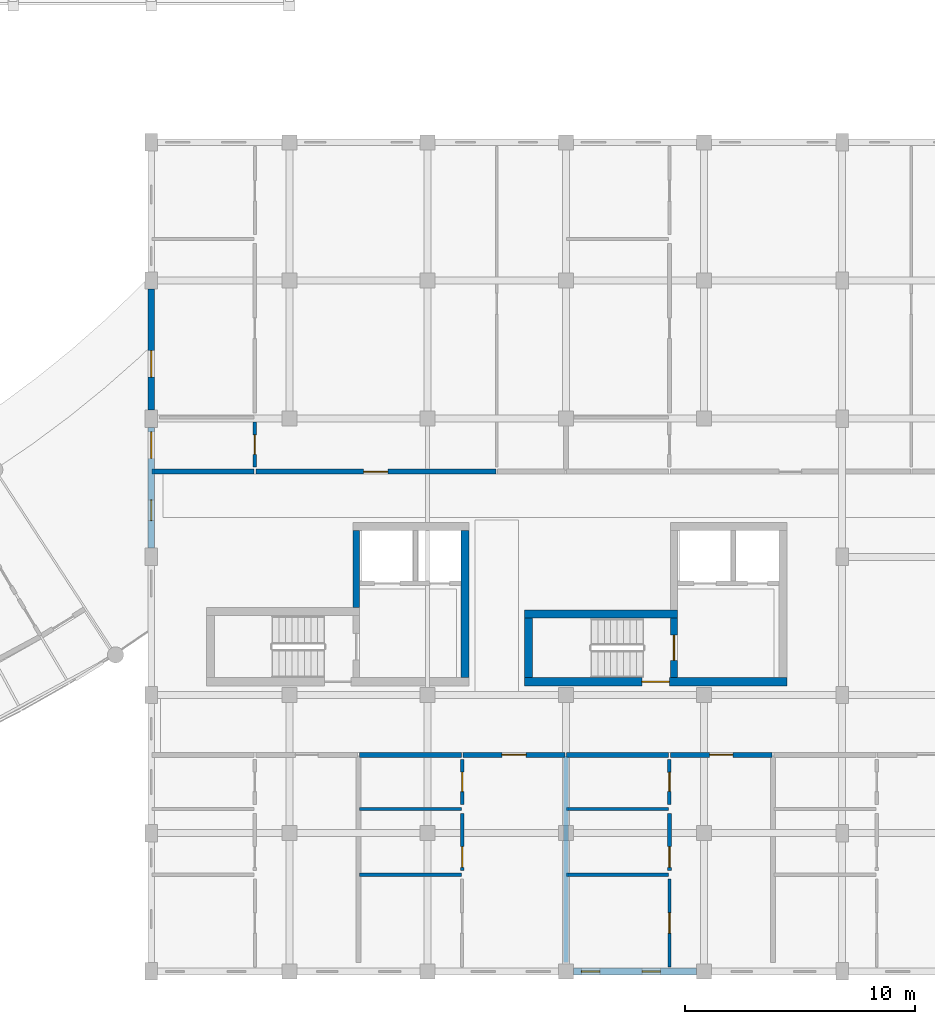
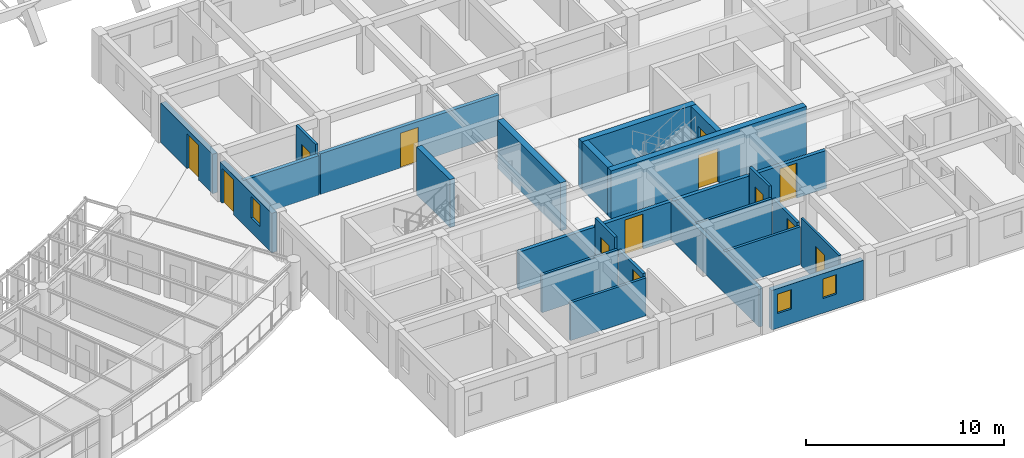
# One storey, part 84 of 123: 26 walls, 13 doors, 3 windows, 16 openings.
"""IFC4 building model written with IfcOpenShell, lengths in metres."""

from ifc_helpers import new_model, si_unit, direction, frame, frame_2d, origin, place, context, subcontext, project, spatial, rectangle, extrude, material, layer, layer_set, type_object, element, fill, save


model = new_model("IFC4")

# Units and contexts
model_context = context("Model", 3, precision=1e-05, world=origin(), true_north=direction((0.0, 1.0)))
body_context = subcontext(model_context, "Body", "Model", "MODEL_VIEW")
ifc_project = project(units=[si_unit("LENGTHUNIT", "METRE"), si_unit("AREAUNIT", "SQUARE_METRE"), si_unit("VOLUMEUNIT", "CUBIC_METRE"), si_unit("PLANEANGLEUNIT", "RADIAN"), si_unit("MASSUNIT", "GRAM", prefix="KILO"), si_unit("POWERUNIT", "WATT"), si_unit("THERMODYNAMICTEMPERATUREUNIT", "KELVIN")], contexts=[model_context])

# Site, building, storey
site_placement = place(None, origin())
site = spatial("IfcSite", under=ifc_project, at=site_placement, CompositionType="ELEMENT")
building_placement = place(site_placement, origin())
building = spatial("IfcBuilding", under=site, at=building_placement, Name="Ruvembo Vaulted Housing Court", CompositionType="ELEMENT")
storey_placement = place(building_placement, frame((0.0, 0.0, 7.699951171875)))
storey = spatial("IfcBuildingStorey", under=building, at=storey_placement, Name="L02", CompositionType="ELEMENT", Elevation=7.699951171875)

# Wall
ifc_material_1 = material(Name="Concrete C35/45", Category="concrete")
ifc_layer_1 = layer(ifc_material_1, 0.300048828125, Name="Concrete C35/45")
ifc_layer_set_1 = layer_set([ifc_layer_1], Name="Concrete C35/45")
wall_type_1 = type_object("IfcWallType", Name="WL-CORE-300", PredefinedType="SHEAR", material=ifc_layer_set_1)
wall_1_placement = place(storey_placement, frame((110.89990234375, 15.800048828125, 0.0), z_axis=(0.0, 0.0, 1.0), x_axis=(0.0, 1.0, 0.0)))
element("IfcWall", 1, at=wall_1_placement, inside=storey, type_object=wall_type_1, Name="Core C1 L02 Upper West Shear Wall", PredefinedType="SHEAR", context=body_context, shape_type="SweptSolid", body=[
    extrude(rectangle(XDim=3.349853515625, YDim=0.300048828125, at=frame_2d((1.6748046875, 0.0))), origin(), (0.0, 0.0, 1.0), 2.955078125),
])

# Wall, opening, door
wall_2_placement = place(storey_placement, frame((124.699951171875, 12.75, 0.0), z_axis=(0.0, 0.0, 1.0), x_axis=(0.0, 1.0, 0.0)))
wall_2 = element("IfcWall", 2, at=wall_2_placement, inside=storey, type_object=wall_type_1, Name="Core C2 L02 Stair-Lobby Shear Wall", PredefinedType="SHEAR", context=body_context, shape_type="SweptSolid", body=[
    extrude(rectangle(XDim=2.60009765625, YDim=0.300048828125, at=frame_2d((1.300048828125, 0.0))), origin(), (0.0, 0.0, 1.0), 2.955078125),
])
opening_1_placement = place(wall_2_placement, frame((0.75, 0.0, 0.0)))
opening_1 = element("IfcOpeningElement", 3, at=opening_1_placement, cuts=wall_2, Name="Opening SD2", PredefinedType="OPENING", context=body_context, shape_type="SweptSolid", body=[
    extrude(rectangle(XDim=1.10009765625, YDim=2.14990234375, at=frame_2d((0.550048828125, 1.074951171875))), frame((0.0, 0.159912109375, 0.0), z_axis=(0.0, -1.0, 0.0), x_axis=(1.0, 0.0, 0.0)), (0.0, 0.0, 1.0), 0.320068359375),
])
ifc_material_2 = material(Name="Galvanised Painted Steel", Category="steel")
door_type_1 = type_object("IfcDoorType", Name="DR-STAIR-1100x2150", OperationType="NOTDEFINED", PredefinedType="DOOR", material=ifc_material_2)
door_1_placement = place(opening_1_placement, origin())
door_1 = element("IfcDoor", 4, at=door_1_placement, inside=storey, type_object=door_type_1, Name="Stair ST-C2 L02 Fire Door", OperationType="SINGLE_SWING_RIGHT", OverallHeight=2.14990234375, OverallWidth=1.10009765625, PredefinedType="DOOR", context=body_context, shape_type="SweptSolid", body=[
    extrude(rectangle(XDim=1.10009765625, YDim=2.14990234375, at=frame_2d((0.550048828125, 1.074951171875))), frame((0.0, 0.02490234375, 0.0), z_axis=(0.0, -1.0, 0.0), x_axis=(1.0, 0.0, 0.0)), (0.0, 0.0, 1.0), 0.050048828125),
])
fill(opening_1, door_1)

# Wall
ifc_layer_2 = layer(ifc_material_1, 0.35009765625, Name="Concrete C35/45")
ifc_layer_set_2 = layer_set([ifc_layer_2], Name="Concrete C35/45")
wall_type_2 = type_object("IfcWallType", Name="WL-CORE-350", PredefinedType="SHEAR", material=ifc_layer_set_2)
wall_3_placement = place(storey_placement, frame((115.625, 12.75, 0.0), z_axis=(0.0, 0.0, 1.0), x_axis=(0.0, 1.0, 0.0)))
element("IfcWall", 5, at=wall_3_placement, inside=storey, type_object=wall_type_2, Name="Core C1 L02 East Shear Wall", PredefinedType="SHEAR", context=body_context, shape_type="SweptSolid", body=[
    extrude(rectangle(XDim=6.39990234375, YDim=0.35009765625, at=frame_2d((3.199951171875, 0.0))), origin(), (0.0, 0.0, 1.0), 2.955078125),
])

# Wall, opening, door
wall_4_placement = place(storey_placement, frame((118.199951171875, 12.574951171875, 0.0), z_axis=(0.0, 0.0, 1.0), x_axis=(1.0, 0.0, 0.0)))
wall_4 = element("IfcWall", 6, at=wall_4_placement, inside=storey, type_object=wall_type_2, Name="Core C2 L02 South Shear Wall", PredefinedType="SHEAR", context=body_context, shape_type="SweptSolid", body=[
    extrude(rectangle(XDim=11.400146484375, YDim=0.35009765625, at=frame_2d((5.7001953125, 0.0))), origin(), (0.0, 0.0, 1.0), 2.955078125),
])
opening_2_placement = place(wall_4_placement, frame((5.10009765625, 0.0, 0.0)))
opening_2 = element("IfcOpeningElement", 7, at=opening_2_placement, cuts=wall_4, Name="Opening LD3", PredefinedType="OPENING", context=body_context, shape_type="SweptSolid", body=[
    extrude(rectangle(XDim=1.199951171875, YDim=2.14990234375, at=frame_2d((0.60009765625, 1.074951171875))), frame((0.0, 0.18505859375, 0.0), z_axis=(0.0, -1.0, 0.0), x_axis=(1.0, 0.0, 0.0)), (0.0, 0.0, 1.0), 0.3701171875),
])
door_type_2 = type_object("IfcDoorType", Name="DR-LOB-1200x2150", OperationType="NOTDEFINED", PredefinedType="DOOR", material=ifc_material_2)
door_2_placement = place(opening_2_placement, origin())
door_2 = element("IfcDoor", 8, at=door_2_placement, inside=storey, type_object=door_type_2, Name="Core C2 L02 Lobby Fire Door", OperationType="SINGLE_SWING_LEFT", OverallHeight=2.14990234375, OverallWidth=1.199951171875, PredefinedType="DOOR", context=body_context, shape_type="SweptSolid", body=[
    extrude(rectangle(XDim=1.199951171875, YDim=2.14990234375, at=frame_2d((0.60009765625, 1.074951171875))), frame((0.0, 0.02490234375, 0.0), z_axis=(0.0, -1.0, 0.0), x_axis=(1.0, 0.0, 0.0)), (0.0, 0.0, 1.0), 0.050048828125),
])
fill(opening_2, door_2)

# Walls
wall_5_placement = place(storey_placement, frame((124.85009765625, 15.52490234375, 0.0), z_axis=(0.0, 0.0, 1.0), x_axis=(-1.0, 0.0, 0.0)))
element("IfcWall", 9, at=wall_5_placement, inside=storey, type_object=wall_type_2, Name="Core C2 L02 Stair North Shear Wall", PredefinedType="SHEAR", context=body_context, shape_type="SweptSolid", body=[
    extrude(rectangle(XDim=6.650146484375, YDim=0.35009765625, at=frame_2d((3.3251953125, 0.0))), origin(), (0.0, 0.0, 1.0), 2.955078125),
])
wall_6_placement = place(storey_placement, frame((118.375, 15.35009765625, 0.0), z_axis=(0.0, 0.0, 1.0), x_axis=(0.0, -1.0, 0.0)))
element("IfcWall", 10, at=wall_6_placement, inside=storey, type_object=wall_type_2, Name="Core C2 L02 Stair West Shear Wall", PredefinedType="SHEAR", context=body_context, shape_type="SweptSolid", body=[
    extrude(rectangle(XDim=2.60009765625, YDim=0.35009765625, at=frame_2d((1.300048828125, 0.0))), origin(), (0.0, 0.0, 1.0), 2.955078125),
])
ifc_material_3 = material(Name="Concrete Blockwork 210", Category="masonry")
ifc_layer_3 = layer(ifc_material_3, 0.2099609375, Name="Concrete Blockwork 210")
ifc_layer_set_3 = layer_set([ifc_layer_3], Name="Concrete Blockwork 210")
wall_type_3 = type_object("IfcWallType", Name="WL-CORR-210", PredefinedType="SOLIDWALL", material=ifc_layer_set_3)
wall_7_placement = place(storey_placement, frame((111.0400390625, 9.39990234375, 0.0), z_axis=(0.0, 0.0, 1.0), x_axis=(1.0, 0.0, 0.0)))
element("IfcWall", 11, at=wall_7_placement, inside=storey, type_object=wall_type_3, Name="L02 Flat C-L02-S2 Corridor Wall WL-INT-L02-00591", PredefinedType="SOLIDWALL", context=body_context, shape_type="SweptSolid", body=[
    extrude(rectangle(XDim=4.419921875, YDim=0.2099609375, at=frame_2d((2.2099609375, 0.0))), origin(), (0.0, 0.0, 1.0), 2.337158203125),
])

# Wall, opening, door
wall_8_placement = place(storey_placement, frame((115.5400390625, 9.39990234375, 0.0), z_axis=(0.0, 0.0, 1.0), x_axis=(1.0, 0.0, 0.0)))
wall_8 = element("IfcWall", 12, at=wall_8_placement, inside=storey, type_object=wall_type_3, Name="L02 Flat C-L02-S2 Entrance WL-INT-L02-00592", PredefinedType="SOLIDWALL", context=body_context, shape_type="SweptSolid", body=[
    extrude(rectangle(XDim=4.419921875, YDim=0.2099609375, at=frame_2d((2.2099609375, 0.0))), origin(), (0.0, 0.0, 1.0), 2.337158203125),
])
opening_3_placement = place(wall_8_placement, frame((1.68505859375, 0.0, 0.0)))
opening_3 = element("IfcOpeningElement", 13, at=opening_3_placement, cuts=wall_8, Name="Opening FD3", PredefinedType="OPENING", context=body_context, shape_type="SweptSolid", body=[
    extrude(rectangle(XDim=1.050048828125, YDim=2.14990234375, at=frame_2d((0.52490234375, 1.074951171875))), frame((0.0, 0.114990234375, 0.0), z_axis=(0.0, -1.0, 0.0), x_axis=(1.0, 0.0, 0.0)), (0.0, 0.0, 1.0), 0.22998046875),
])
ifc_material_4 = material(Name="FSC Hardwood and Engineered Timber", Category="wood")
door_type_3 = type_object("IfcDoorType", Name="DR-FLAT-1050x2150", OperationType="NOTDEFINED", PredefinedType="DOOR", material=ifc_material_4)
door_3_placement = place(opening_3_placement, origin())
door_3 = element("IfcDoor", 14, at=door_3_placement, inside=storey, type_object=door_type_3, Name="L02 Flat C-L02-S2 Entrance Door DR-INT-L02-00320", OperationType="SINGLE_SWING_RIGHT", OverallHeight=2.14990234375, OverallWidth=1.050048828125, PredefinedType="DOOR", context=body_context, shape_type="SweptSolid", body=[
    extrude(rectangle(XDim=1.050048828125, YDim=2.14990234375, at=frame_2d((0.52490234375, 1.074951171875))), frame((0.0, 0.02490234375, 0.0), z_axis=(0.0, -1.0, 0.0), x_axis=(1.0, 0.0, 0.0)), (0.0, 0.0, 1.0), 0.050048828125),
])
fill(opening_3, door_3)

# Wall
wall_9_placement = place(storey_placement, frame((120.0400390625, 9.39990234375, 0.0), z_axis=(0.0, 0.0, 1.0), x_axis=(1.0, 0.0, 0.0)))
element("IfcWall", 15, at=wall_9_placement, inside=storey, type_object=wall_type_3, Name="L02 Flat C-L02-S3 Corridor Wall WL-INT-L02-00599", PredefinedType="SOLIDWALL", context=body_context, shape_type="SweptSolid", body=[
    extrude(rectangle(XDim=4.419921875, YDim=0.2099609375, at=frame_2d((2.2099609375, 0.0))), origin(), (0.0, 0.0, 1.0), 2.337158203125),
])

# Wall, opening, door
wall_10_placement = place(storey_placement, frame((124.5400390625, 9.39990234375, 0.0), z_axis=(0.0, 0.0, 1.0), x_axis=(1.0, 0.0, 0.0)))
wall_10 = element("IfcWall", 16, at=wall_10_placement, inside=storey, type_object=wall_type_3, Name="L02 Flat C-L02-S3 Entrance WL-INT-L02-00600", PredefinedType="SOLIDWALL", context=body_context, shape_type="SweptSolid", body=[
    extrude(rectangle(XDim=4.419921875, YDim=0.2099609375, at=frame_2d((2.2099609375, 0.0))), origin(), (0.0, 0.0, 1.0), 2.337158203125),
])
opening_4_placement = place(wall_10_placement, frame((1.7099609375, 0.0, 0.0)))
opening_4 = element("IfcOpeningElement", 17, at=opening_4_placement, cuts=wall_10, Name="Opening FD1", PredefinedType="OPENING", context=body_context, shape_type="SweptSolid", body=[
    extrude(rectangle(XDim=1.0, YDim=2.14990234375, at=frame_2d((0.5, 1.074951171875))), frame((0.0, 0.114990234375, 0.0), z_axis=(0.0, -1.0, 0.0), x_axis=(1.0, 0.0, 0.0)), (0.0, 0.0, 1.0), 0.22998046875),
])
door_type_4 = type_object("IfcDoorType", Name="DR-FLAT-1000x2150", OperationType="NOTDEFINED", PredefinedType="DOOR", material=ifc_material_4)
door_4_placement = place(opening_4_placement, origin())
door_4 = element("IfcDoor", 18, at=door_4_placement, inside=storey, type_object=door_type_4, Name="L02 Flat C-L02-S3 Entrance Door DR-INT-L02-00324", OperationType="SINGLE_SWING_RIGHT", OverallHeight=2.14990234375, OverallWidth=1.0, PredefinedType="DOOR", context=body_context, shape_type="SweptSolid", body=[
    extrude(rectangle(XDim=1.0, YDim=2.14990234375, at=frame_2d((0.5, 1.074951171875))), frame((0.0, 0.02490234375, 0.0), z_axis=(0.0, -1.0, 0.0), x_axis=(1.0, 0.0, 0.0)), (0.0, 0.0, 1.0), 0.050048828125),
])
fill(opening_4, door_4)

# Wall
wall_11_placement = place(storey_placement, frame((102.0400390625, 21.699951171875, 0.0), z_axis=(0.0, 0.0, 1.0), x_axis=(1.0, 0.0, 0.0)))
element("IfcWall", 19, at=wall_11_placement, inside=storey, type_object=wall_type_3, Name="L02 Flat C-L02-N1 Corridor Wall WL-INT-L02-00614", PredefinedType="SOLIDWALL", context=body_context, shape_type="SweptSolid", body=[
    extrude(rectangle(XDim=4.419921875, YDim=0.2099609375, at=frame_2d((2.2099609375, 0.0))), origin(), (0.0, 0.0, 1.0), 2.43701171875),
])

# Wall, opening, door
wall_12_placement = place(storey_placement, frame((106.5400390625, 21.699951171875, 0.0), z_axis=(0.0, 0.0, 1.0), x_axis=(1.0, 0.0, 0.0)))
wall_12 = element("IfcWall", 20, at=wall_12_placement, inside=storey, type_object=wall_type_3, Name="L02 Flat C-L02-N1 Entrance WL-INT-L02-00615", PredefinedType="SOLIDWALL", context=body_context, shape_type="SweptSolid", body=[
    extrude(rectangle(XDim=10.419921875, YDim=0.2099609375, at=frame_2d((5.2099609375, 0.0))), origin(), (0.0, 0.0, 1.0), 2.508056640625),
])
opening_5_placement = place(wall_12_placement, frame((4.68505859375, 0.0, 0.0)))
opening_5 = element("IfcOpeningElement", 21, at=opening_5_placement, cuts=wall_12, Name="Opening FD3", PredefinedType="OPENING", context=body_context, shape_type="SweptSolid", body=[
    extrude(rectangle(XDim=1.050048828125, YDim=2.14990234375, at=frame_2d((0.52490234375, 1.074951171875))), frame((0.0, 0.114990234375, 0.0), z_axis=(0.0, -1.0, 0.0), x_axis=(1.0, 0.0, 0.0)), (0.0, 0.0, 1.0), 0.22998046875),
])
door_5_placement = place(opening_5_placement, origin())
door_5 = element("IfcDoor", 22, at=door_5_placement, inside=storey, type_object=door_type_3, Name="L02 Flat C-L02-N1 Entrance Door DR-INT-L02-00332", OperationType="SINGLE_SWING_RIGHT", OverallHeight=2.14990234375, OverallWidth=1.050048828125, PredefinedType="DOOR", context=body_context, shape_type="SweptSolid", body=[
    extrude(rectangle(XDim=1.050048828125, YDim=2.14990234375, at=frame_2d((0.52490234375, 1.074951171875))), frame((0.0, 0.02490234375, 0.0), z_axis=(0.0, -1.0, 0.0), x_axis=(1.0, 0.0, 0.0)), (0.0, 0.0, 1.0), 0.050048828125),
])
fill(opening_5, door_5)

# Wall
ifc_material_5 = material(Name="Acoustic Masonry Demising 220", Category="masonry")
ifc_layer_4 = layer(ifc_material_5, 0.219970703125, Name="Acoustic Masonry Demising 220")
ifc_layer_set_4 = layer_set([ifc_layer_4], Name="Acoustic Masonry Demising 220")
wall_type_4 = type_object("IfcWallType", Name="WL-DEM-200", PredefinedType="SOLIDWALL", material=ifc_layer_set_4)
wall_13_placement = place(storey_placement, frame((120.0, 0.389892578125, 0.0), z_axis=(0.0, 0.0, 1.0), x_axis=(0.0, 1.0, 0.0)))
element("IfcWall", 23, at=wall_13_placement, inside=storey, type_object=wall_type_4, Name="L02 Demising C-L02-S2 WL-INT-L02-00590", PredefinedType="SOLIDWALL", context=body_context, shape_type="SweptSolid", body=[
    extrude(rectangle(XDim=8.97021484375, YDim=0.219970703125, at=frame_2d((4.485107421875, 0.0))), origin(), (0.0, 0.0, 1.0), 2.337158203125),
])

# Wall, openings, windows
ifc_material_6 = material(Name="Rendered Masonry 300", Category="masonry")
ifc_layer_5 = layer(ifc_material_6, 0.300048828125, Name="Rendered Masonry 300")
ifc_layer_set_5 = layer_set([ifc_layer_5], Name="Rendered Masonry 300")
wall_type_5 = type_object("IfcWallType", Name="WL-EXT-300", PredefinedType="STANDARD", material=ifc_layer_set_5)
wall_14_placement = place(storey_placement, frame((120.324951171875, 0.0, 0.0), z_axis=(0.0, 0.0, 1.0), x_axis=(1.0, 0.0, 0.0)))
wall_14 = element("IfcWall", 24, at=wall_14_placement, inside=storey, type_object=wall_type_5, Name="Block C L02 Exterior Wall STREET #4", PredefinedType="STANDARD", context=body_context, shape_type="SweptSolid", body=[
    extrude(rectangle(XDim=5.35009765625, YDim=0.300048828125, at=frame_2d((2.675048828125, 0.0))), origin(), (0.0, 0.0, 1.0), 2.43701171875),
])
opening_6_placement = place(wall_14_placement, frame((0.35009765625, 0.0, 0.89990234375)))
opening_6 = element("IfcOpeningElement", 25, at=opening_6_placement, cuts=wall_14, Name="Opening W02", PredefinedType="OPENING", context=body_context, shape_type="SweptSolid", body=[
    extrude(rectangle(XDim=0.800048828125, YDim=1.199951171875, at=frame_2d((0.39990234375, 0.60009765625))), frame((0.0, 0.159912109375, 0.0), z_axis=(0.0, -1.0, 0.0), x_axis=(1.0, 0.0, 0.0)), (0.0, 0.0, 1.0), 0.320068359375),
])
opening_7_placement = place(wall_14_placement, frame((2.985107421875, 0.0, 0.89990234375)))
opening_7 = element("IfcOpeningElement", 26, at=opening_7_placement, cuts=wall_14, Name="Opening W02", PredefinedType="OPENING", context=body_context, shape_type="SweptSolid", body=[
    extrude(rectangle(XDim=0.800048828125, YDim=1.199951171875, at=frame_2d((0.39990234375, 0.60009765625))), frame((0.0, 0.159912109375, 0.0), z_axis=(0.0, -1.0, 0.0), x_axis=(1.0, 0.0, 0.0)), (0.0, 0.0, 1.0), 0.320068359375),
])
ifc_material_7 = material(Name="Double Solar-Control Glazing in Aluminium Frame", Category="aluminium")
window_type_1 = type_object("IfcWindowType", Name="WIN-0800x1200", PartitioningType="SINGLE_PANEL", PredefinedType="WINDOW", material=ifc_material_7)
window_1_placement = place(opening_6_placement, origin())
window_1 = element("IfcWindow", 27, at=window_1_placement, inside=storey, type_object=window_type_1, Name="Block C L02 Window #1158", OverallHeight=1.199951171875, OverallWidth=0.800048828125, PartitioningType="SINGLE_PANEL", PredefinedType="WINDOW", context=body_context, shape_type="SweptSolid", body=[
    extrude(rectangle(XDim=0.800048828125, YDim=1.199951171875, at=frame_2d((0.39990234375, 0.60009765625))), frame((0.0, 0.030029296875, 0.0), z_axis=(0.0, -1.0, 0.0), x_axis=(1.0, 0.0, 0.0)), (0.0, 0.0, 1.0), 0.06005859375),
])
fill(opening_6, window_1)
window_2_placement = place(opening_7_placement, origin())
window_2 = element("IfcWindow", 28, at=window_2_placement, inside=storey, type_object=window_type_1, Name="Block C L02 Window #1159", OverallHeight=1.199951171875, OverallWidth=0.800048828125, PartitioningType="SINGLE_PANEL", PredefinedType="WINDOW", context=body_context, shape_type="SweptSolid", body=[
    extrude(rectangle(XDim=0.800048828125, YDim=1.199951171875, at=frame_2d((0.39990234375, 0.60009765625))), frame((0.0, 0.030029296875, 0.0), z_axis=(0.0, -1.0, 0.0), x_axis=(1.0, 0.0, 0.0)), (0.0, 0.0, 1.0), 0.06005859375),
])
fill(opening_7, window_2)

# Wall, opening, door
wall_15_placement = place(storey_placement, frame((102.0, 29.625, 0.0), z_axis=(0.0, 0.0, 1.0), x_axis=(0.0, -1.0, 0.0)))
wall_15 = element("IfcWall", 29, at=wall_15_placement, inside=storey, type_object=wall_type_5, Name="Block C L02 Exterior Wall WEST #2", PredefinedType="STANDARD", context=body_context, shape_type="SweptSolid", body=[
    extrude(rectangle(XDim=5.25, YDim=0.300048828125, at=frame_2d((2.625, 0.0))), origin(), (0.0, 0.0, 1.0), 2.43701171875),
])
opening_8_placement = place(wall_15_placement, frame((2.666748046875, 0.0, 0.0)))
opening_8 = element("IfcOpeningElement", 30, at=opening_8_placement, cuts=wall_15, Name="Opening GD1", PredefinedType="OPENING", context=body_context, shape_type="SweptSolid", body=[
    extrude(rectangle(XDim=1.14990234375, YDim=2.14990234375, at=frame_2d((0.574951171875, 1.074951171875))), frame((0.0, 0.159912109375, 0.0), z_axis=(0.0, -1.0, 0.0), x_axis=(1.0, 0.0, 0.0)), (0.0, 0.0, 1.0), 0.320068359375),
])
ifc_material_8 = material(Name="Thermally Broken Glazed Aluminium", Category="aluminium")
door_type_5 = type_object("IfcDoorType", Name="DR-GAL-1150x2150", OperationType="NOTDEFINED", PredefinedType="DOOR", material=ifc_material_8)
door_6_placement = place(opening_8_placement, frame((1.14990234375, 0.0, 0.0), z_axis=(0.0, 0.0, 1.0), x_axis=(-1.0, 0.0, 0.0)))
door_6 = element("IfcDoor", 31, at=door_6_placement, inside=storey, type_object=door_type_5, Name="Block C L02 Terrace or Gallery Door DR-TER-C-L02-053", OperationType="SINGLE_SWING_RIGHT", OverallHeight=2.14990234375, OverallWidth=1.14990234375, PredefinedType="DOOR", context=body_context, shape_type="SweptSolid", body=[
    extrude(rectangle(XDim=1.14990234375, YDim=2.14990234375, at=frame_2d((0.574951171875, 1.074951171875))), frame((0.0, 0.02490234375, 0.0), z_axis=(0.0, -1.0, 0.0), x_axis=(1.0, 0.0, 0.0)), (0.0, 0.0, 1.0), 0.050048828125),
])
fill(opening_8, door_6)

# Wall, openings, door, window
wall_16_placement = place(storey_placement, frame((102.0, 23.625, 0.0), z_axis=(0.0, 0.0, 1.0), x_axis=(0.0, -1.0, 0.0)))
wall_16 = element("IfcWall", 32, at=wall_16_placement, inside=storey, type_object=wall_type_5, Name="Block C L02 Exterior Wall WEST #3", PredefinedType="STANDARD", context=body_context, shape_type="SweptSolid", body=[
    extrude(rectangle(XDim=5.25, YDim=0.300048828125, at=frame_2d((2.625, 0.0))), origin(), (0.0, 0.0, 1.0), 2.43701171875),
])
opening_9_placement = place(wall_16_placement, frame((0.199951171875, 0.0, 0.0)))
opening_9 = element("IfcOpeningElement", 33, at=opening_9_placement, cuts=wall_16, Name="Opening GD1", PredefinedType="OPENING", context=body_context, shape_type="SweptSolid", body=[
    extrude(rectangle(XDim=1.14990234375, YDim=2.14990234375, at=frame_2d((0.574951171875, 1.074951171875))), frame((0.0, 0.159912109375, 0.0), z_axis=(0.0, -1.0, 0.0), x_axis=(1.0, 0.0, 0.0)), (0.0, 0.0, 1.0), 0.320068359375),
])
opening_10_placement = place(wall_16_placement, frame((3.157470703125, 0.0, 0.89990234375)))
opening_10 = element("IfcOpeningElement", 34, at=opening_10_placement, cuts=wall_16, Name="Opening W04", PredefinedType="OPENING", context=body_context, shape_type="SweptSolid", body=[
    extrude(rectangle(XDim=0.89990234375, YDim=1.300048828125, at=frame_2d((0.449951171875, 0.64990234375))), frame((0.0, 0.159912109375, 0.0), z_axis=(0.0, -1.0, 0.0), x_axis=(1.0, 0.0, 0.0)), (0.0, 0.0, 1.0), 0.320068359375),
])
door_7_placement = place(opening_9_placement, frame((1.14990234375, 0.0, 0.0), z_axis=(0.0, 0.0, 1.0), x_axis=(-1.0, 0.0, 0.0)))
door_7 = element("IfcDoor", 35, at=door_7_placement, inside=storey, type_object=door_type_5, Name="Block C L02 Terrace or Gallery Door DR-TER-C-L02-054", OperationType="SINGLE_SWING_LEFT", OverallHeight=2.14990234375, OverallWidth=1.14990234375, PredefinedType="DOOR", context=body_context, shape_type="SweptSolid", body=[
    extrude(rectangle(XDim=1.14990234375, YDim=2.14990234375, at=frame_2d((0.574951171875, 1.074951171875))), frame((0.0, 0.02490234375, 0.0), z_axis=(0.0, -1.0, 0.0), x_axis=(1.0, 0.0, 0.0)), (0.0, 0.0, 1.0), 0.050048828125),
])
fill(opening_9, door_7)
window_type_2 = type_object("IfcWindowType", Name="WIN-0900x1300", PartitioningType="SINGLE_PANEL", PredefinedType="WINDOW", material=ifc_material_7)
window_3_placement = place(opening_10_placement, origin())
window_3 = element("IfcWindow", 36, at=window_3_placement, inside=storey, type_object=window_type_2, Name="Block C L02 Window #1190", OverallHeight=1.300048828125, OverallWidth=0.89990234375, PartitioningType="SINGLE_PANEL", PredefinedType="WINDOW", context=body_context, shape_type="SweptSolid", body=[
    extrude(rectangle(XDim=0.89990234375, YDim=1.300048828125, at=frame_2d((0.449951171875, 0.64990234375))), frame((0.0, 0.030029296875, 0.0), z_axis=(0.0, -1.0, 0.0), x_axis=(1.0, 0.0, 0.0)), (0.0, 0.0, 1.0), 0.06005859375),
])
fill(opening_10, window_3)

# Wall, opening, door
ifc_material_9 = material(Name="Plasterboard Stud Partition 125", Category="gypsum")
ifc_layer_6 = layer(ifc_material_9, 0.125, Name="Plasterboard Stud Partition 125")
ifc_layer_set_6 = layer_set([ifc_layer_6], Name="Plasterboard Stud Partition 125")
wall_type_6 = type_object("IfcWallType", Name="WL-PART-125", PredefinedType="PARTITIONING", material=ifc_layer_set_6)
wall_17_placement = place(storey_placement, frame((124.5, 0.18994140625, 0.0), z_axis=(0.0, 0.0, 1.0), x_axis=(0.0, 1.0, 0.0)))
wall_17 = element("IfcWall", 37, at=wall_17_placement, inside=storey, type_object=wall_type_6, Name="L02 Flat C-L02-S3 Bedroom 1 WL-INT-L02-00601", PredefinedType="PARTITIONING", context=body_context, shape_type="SweptSolid", body=[
    extrude(rectangle(XDim=3.820068359375, YDim=0.125, at=frame_2d((1.91015625, 0.0))), origin(), (0.0, 0.0, 1.0), 2.955078125),
])
opening_11_placement = place(wall_17_placement, frame((1.469970703125, 0.0, 0.0)))
opening_11 = element("IfcOpeningElement", 38, at=opening_11_placement, cuts=wall_17, Name="Opening ID3", PredefinedType="OPENING", context=body_context, shape_type="SweptSolid", body=[
    extrude(rectangle(XDim=0.8798828125, YDim=2.10009765625, at=frame_2d((0.43994140625, 1.050048828125))), frame((0.0, 0.072509765625, 0.0), z_axis=(0.0, -1.0, 0.0), x_axis=(1.0, 0.0, 0.0)), (0.0, 0.0, 1.0), 0.14501953125),
])
door_type_6 = type_object("IfcDoorType", Name="DR-ROOM-0880x2100", OperationType="NOTDEFINED", PredefinedType="DOOR", material=ifc_material_4)
door_8_placement = place(opening_11_placement, origin())
door_8 = element("IfcDoor", 39, at=door_8_placement, inside=storey, type_object=door_type_6, Name="L02 Flat C-L02-S3 Bedroom 1 Door DR-INT-L02-00325", OperationType="SINGLE_SWING_LEFT", OverallHeight=2.10009765625, OverallWidth=0.8798828125, PredefinedType="DOOR", context=body_context, shape_type="SweptSolid", body=[
    extrude(rectangle(XDim=0.8798828125, YDim=2.10009765625, at=frame_2d((0.43994140625, 1.050048828125))), frame((0.0, 0.02490234375, 0.0), z_axis=(0.0, -1.0, 0.0), x_axis=(1.0, 0.0, 0.0)), (0.0, 0.0, 1.0), 0.050048828125),
])
fill(opening_11, door_8)

ifc_material_10 = material(Name="Moisture-Resistant Wet Partition 150", Category="gypsum")
ifc_layer_7 = layer(ifc_material_10, 0.14990234375, Name="Moisture-Resistant Wet Partition 150")
ifc_layer_set_7 = layer_set([ifc_layer_7], Name="Moisture-Resistant Wet Partition 150")
wall_type_7 = type_object("IfcWallType", Name="WL-PART-150", PredefinedType="PARTITIONING", material=ifc_layer_set_7)
wall_18_placement = place(storey_placement, frame((115.5, 7.239990234375, 0.0), z_axis=(0.0, 0.0, 1.0), x_axis=(0.0, 1.0, 0.0)))
wall_18 = element("IfcWall", 40, at=wall_18_placement, inside=storey, type_object=wall_type_7, Name="L02 Flat C-L02-S2 Bathroom WL-INT-L02-00595", PredefinedType="PARTITIONING", context=body_context, shape_type="SweptSolid", body=[
    extrude(rectangle(XDim=1.969970703125, YDim=0.14990234375, at=frame_2d((0.98486328125, 0.0))), origin(), (0.0, 0.0, 1.0), 2.955078125),
])
opening_12_placement = place(wall_18_placement, frame((0.56005859375, 0.0, 0.0)))
opening_12 = element("IfcOpeningElement", 41, at=opening_12_placement, cuts=wall_18, Name="Opening ID2", PredefinedType="OPENING", context=body_context, shape_type="SweptSolid", body=[
    extrude(rectangle(XDim=0.85009765625, YDim=2.10009765625, at=frame_2d((0.425048828125, 1.050048828125))), frame((0.0, 0.0849609375, 0.0), z_axis=(0.0, -1.0, 0.0), x_axis=(1.0, 0.0, 0.0)), (0.0, 0.0, 1.0), 0.169921875),
])
door_type_7 = type_object("IfcDoorType", Name="DR-WET-0850x2100", OperationType="NOTDEFINED", PredefinedType="DOOR", material=ifc_material_4)
door_9_placement = place(opening_12_placement, origin())
door_9 = element("IfcDoor", 42, at=door_9_placement, inside=storey, type_object=door_type_7, Name="L02 Flat C-L02-S2 Bathroom Door DR-INT-L02-00323", OperationType="SINGLE_SWING_LEFT", OverallHeight=2.10009765625, OverallWidth=0.85009765625, PredefinedType="DOOR", context=body_context, shape_type="SweptSolid", body=[
    extrude(rectangle(XDim=0.85009765625, YDim=2.10009765625, at=frame_2d((0.425048828125, 1.050048828125))), frame((0.0, 0.02490234375, 0.0), z_axis=(0.0, -1.0, 0.0), x_axis=(1.0, 0.0, 0.0)), (0.0, 0.0, 1.0), 0.050048828125),
])
fill(opening_12, door_9)

# Walls
for number, where, z_axis, x_axis, name in (
    (43, (111.0400390625, 4.199951171875, 0.0), (0.0, 0.0, 1.0), (1.0, 0.0, 0.0), "L02 Flat C-L02-S2 Wet Wall 1 WL-INT-L02-00596"),
    (44, (111.0400390625, 7.050048828125, 0.0), (0.0, 0.0, 1.0), (1.0, 0.0, 0.0), "L02 Flat C-L02-S2 Wet Wall 2 WL-INT-L02-00597"),
):
    element("IfcWall", number, at=place(storey_placement, frame(where, z_axis=z_axis, x_axis=x_axis)), inside=storey, type_object=wall_type_7, Name=name, PredefinedType="PARTITIONING", context=body_context, shape_type="SweptSolid", body=[
        extrude(rectangle(XDim=4.419921875, YDim=0.14990234375, at=frame_2d((2.2099609375, 0.0))), origin(), (0.0, 0.0, 1.0), 2.337158203125),
    ])

# Wall, opening, door
wall_19_placement = place(storey_placement, frame((124.5, 7.239990234375, 0.0), z_axis=(0.0, 0.0, 1.0), x_axis=(0.0, 1.0, 0.0)))
wall_19 = element("IfcWall", 45, at=wall_19_placement, inside=storey, type_object=wall_type_7, Name="L02 Flat C-L02-S3 Bathroom WL-INT-L02-00603", PredefinedType="PARTITIONING", context=body_context, shape_type="SweptSolid", body=[
    extrude(rectangle(XDim=1.969970703125, YDim=0.14990234375, at=frame_2d((0.98486328125, 0.0))), origin(), (0.0, 0.0, 1.0), 2.955078125),
])
opening_13_placement = place(wall_19_placement, frame((0.574951171875, 0.0, 0.0)))
opening_13 = element("IfcOpeningElement", 46, at=opening_13_placement, cuts=wall_19, Name="Opening ID4", PredefinedType="OPENING", context=body_context, shape_type="SweptSolid", body=[
    extrude(rectangle(XDim=0.820068359375, YDim=2.080078125, at=frame_2d((0.41015625, 1.0400390625))), frame((0.0, 0.0849609375, 0.0), z_axis=(0.0, -1.0, 0.0), x_axis=(1.0, 0.0, 0.0)), (0.0, 0.0, 1.0), 0.169921875),
])
door_type_8 = type_object("IfcDoorType", Name="DR-WET-0820x2080", OperationType="NOTDEFINED", PredefinedType="DOOR", material=ifc_material_4)
door_10_placement = place(opening_13_placement, origin())
door_10 = element("IfcDoor", 47, at=door_10_placement, inside=storey, type_object=door_type_8, Name="L02 Flat C-L02-S3 Bathroom Door DR-INT-L02-00327", OperationType="SINGLE_SWING_LEFT", OverallHeight=2.080078125, OverallWidth=0.820068359375, PredefinedType="DOOR", context=body_context, shape_type="SweptSolid", body=[
    extrude(rectangle(XDim=0.820068359375, YDim=2.080078125, at=frame_2d((0.41015625, 1.0400390625))), frame((0.0, 0.02490234375, 0.0), z_axis=(0.0, -1.0, 0.0), x_axis=(1.0, 0.0, 0.0)), (0.0, 0.0, 1.0), 0.050048828125),
])
fill(opening_13, door_10)

# Walls
for number, where, z_axis, x_axis, name in (
    (48, (120.0400390625, 4.199951171875, 0.0), (0.0, 0.0, 1.0), (1.0, 0.0, 0.0), "L02 Flat C-L02-S3 Wet Wall 1 WL-INT-L02-00604"),
    (49, (120.0400390625, 7.050048828125, 0.0), (0.0, 0.0, 1.0), (1.0, 0.0, 0.0), "L02 Flat C-L02-S3 Wet Wall 2 WL-INT-L02-00605"),
):
    element("IfcWall", number, at=place(storey_placement, frame(where, z_axis=z_axis, x_axis=x_axis)), inside=storey, type_object=wall_type_7, Name=name, PredefinedType="PARTITIONING", context=body_context, shape_type="SweptSolid", body=[
        extrude(rectangle(XDim=4.419921875, YDim=0.14990234375, at=frame_2d((2.2099609375, 0.0))), origin(), (0.0, 0.0, 1.0), 2.337158203125),
    ])

# Wall, opening, door
wall_20_placement = place(storey_placement, frame((106.5, 21.889892578125, 0.0), z_axis=(0.0, 0.0, 1.0), x_axis=(0.0, 1.0, 0.0)))
wall_20 = element("IfcWall", 50, at=wall_20_placement, inside=storey, type_object=wall_type_7, Name="L02 Flat C-L02-N1 Bathroom WL-INT-L02-00618", PredefinedType="PARTITIONING", context=body_context, shape_type="SweptSolid", body=[
    extrude(rectangle(XDim=1.97021484375, YDim=0.14990234375, at=frame_2d((0.985107421875, 0.0))), origin(), (0.0, 0.0, 1.0), 2.955078125),
])
opening_14_placement = place(wall_20_placement, frame((0.56005859375, 0.0, 0.0)))
opening_14 = element("IfcOpeningElement", 51, at=opening_14_placement, cuts=wall_20, Name="Opening ID2", PredefinedType="OPENING", context=body_context, shape_type="SweptSolid", body=[
    extrude(rectangle(XDim=0.85009765625, YDim=2.10009765625, at=frame_2d((0.425048828125, 1.050048828125))), frame((0.0, 0.0849609375, 0.0), z_axis=(0.0, -1.0, 0.0), x_axis=(1.0, 0.0, 0.0)), (0.0, 0.0, 1.0), 0.169921875),
])
door_11_placement = place(opening_14_placement, origin())
door_11 = element("IfcDoor", 52, at=door_11_placement, inside=storey, type_object=door_type_7, Name="L02 Flat C-L02-N1 Bathroom Door DR-INT-L02-00335", OperationType="SINGLE_SWING_LEFT", OverallHeight=2.10009765625, OverallWidth=0.85009765625, PredefinedType="DOOR", context=body_context, shape_type="SweptSolid", body=[
    extrude(rectangle(XDim=0.85009765625, YDim=2.10009765625, at=frame_2d((0.425048828125, 1.050048828125))), frame((0.0, 0.02490234375, 0.0), z_axis=(0.0, -1.0, 0.0), x_axis=(1.0, 0.0, 0.0)), (0.0, 0.0, 1.0), 0.050048828125),
])
fill(opening_14, door_11)

ifc_material_11 = material(Name="Acoustic Service Chase Wall 160", Category="gypsum")
ifc_layer_8 = layer(ifc_material_11, 0.159912109375, Name="Acoustic Service Chase Wall 160")
ifc_layer_set_8 = layer_set([ifc_layer_8], Name="Acoustic Service Chase Wall 160")
wall_type_8 = type_object("IfcWallType", Name="WL-PLUMB-160", PredefinedType="PLUMBINGWALL", material=ifc_layer_set_8)
wall_21_placement = place(storey_placement, frame((115.5, 4.389892578125, 0.0), z_axis=(0.0, 0.0, 1.0), x_axis=(0.0, 1.0, 0.0)))
wall_21 = element("IfcWall", 53, at=wall_21_placement, inside=storey, type_object=wall_type_8, Name="L02 Flat C-L02-S2 Kitchen WL-INT-L02-00594", PredefinedType="PLUMBINGWALL", context=body_context, shape_type="SweptSolid", body=[
    extrude(rectangle(XDim=2.47021484375, YDim=0.159912109375, at=frame_2d((1.235107421875, 0.0))), origin(), (0.0, 0.0, 1.0), 2.43701171875),
])
opening_15_placement = place(wall_21_placement, frame((0.1298828125, 0.0, 0.0)))
opening_15 = element("IfcOpeningElement", 54, at=opening_15_placement, cuts=wall_21, Name="Opening ID1", PredefinedType="OPENING", context=body_context, shape_type="SweptSolid", body=[
    extrude(rectangle(XDim=0.89990234375, YDim=2.10009765625, at=frame_2d((0.449951171875, 1.050048828125))), frame((0.0, 0.08984375, 0.0), z_axis=(0.0, -1.0, 0.0), x_axis=(1.0, 0.0, 0.0)), (0.0, 0.0, 1.0), 0.179931640625),
])
door_type_9 = type_object("IfcDoorType", Name="DR-ROOM-0900x2100", OperationType="NOTDEFINED", PredefinedType="DOOR", material=ifc_material_4)
door_12_placement = place(opening_15_placement, origin())
door_12 = element("IfcDoor", 55, at=door_12_placement, inside=storey, type_object=door_type_9, Name="L02 Flat C-L02-S2 Kitchen Door DR-INT-L02-00322", OperationType="SINGLE_SWING_RIGHT", OverallHeight=2.10009765625, OverallWidth=0.89990234375, PredefinedType="DOOR", context=body_context, shape_type="SweptSolid", body=[
    extrude(rectangle(XDim=0.89990234375, YDim=2.10009765625, at=frame_2d((0.449951171875, 1.050048828125))), frame((0.0, 0.02490234375, 0.0), z_axis=(0.0, -1.0, 0.0), x_axis=(1.0, 0.0, 0.0)), (0.0, 0.0, 1.0), 0.050048828125),
])
fill(opening_15, door_12)

wall_22_placement = place(storey_placement, frame((124.5, 4.389892578125, 0.0), z_axis=(0.0, 0.0, 1.0), x_axis=(0.0, 1.0, 0.0)))
wall_22 = element("IfcWall", 56, at=wall_22_placement, inside=storey, type_object=wall_type_8, Name="L02 Flat C-L02-S3 Kitchen WL-INT-L02-00602", PredefinedType="PLUMBINGWALL", context=body_context, shape_type="SweptSolid", body=[
    extrude(rectangle(XDim=2.47021484375, YDim=0.159912109375, at=frame_2d((1.235107421875, 0.0))), origin(), (0.0, 0.0, 1.0), 2.43701171875),
])
opening_16_placement = place(wall_22_placement, frame((0.1298828125, 0.0, 0.0)))
opening_16 = element("IfcOpeningElement", 57, at=opening_16_placement, cuts=wall_22, Name="Opening ID1", PredefinedType="OPENING", context=body_context, shape_type="SweptSolid", body=[
    extrude(rectangle(XDim=0.89990234375, YDim=2.10009765625, at=frame_2d((0.449951171875, 1.050048828125))), frame((0.0, 0.08984375, 0.0), z_axis=(0.0, -1.0, 0.0), x_axis=(1.0, 0.0, 0.0)), (0.0, 0.0, 1.0), 0.179931640625),
])
door_13_placement = place(opening_16_placement, origin())
door_13 = element("IfcDoor", 58, at=door_13_placement, inside=storey, type_object=door_type_9, Name="L02 Flat C-L02-S3 Kitchen Door DR-INT-L02-00326", OperationType="SINGLE_SWING_RIGHT", OverallHeight=2.10009765625, OverallWidth=0.89990234375, PredefinedType="DOOR", context=body_context, shape_type="SweptSolid", body=[
    extrude(rectangle(XDim=0.89990234375, YDim=2.10009765625, at=frame_2d((0.449951171875, 1.050048828125))), frame((0.0, 0.02490234375, 0.0), z_axis=(0.0, -1.0, 0.0), x_axis=(1.0, 0.0, 0.0)), (0.0, 0.0, 1.0), 0.050048828125),
])
fill(opening_16, door_13)

save(model, "model.ifc")
